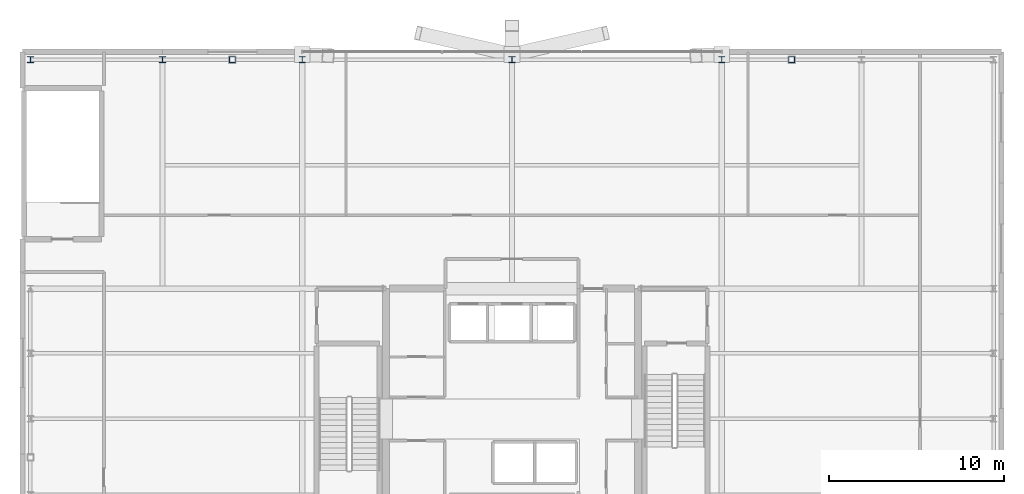
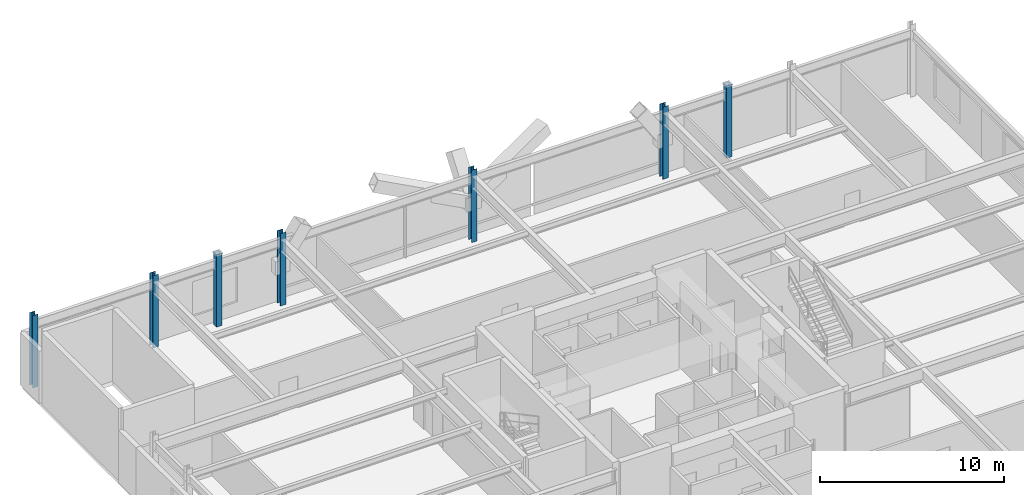
# One storey, part 3 of 21: 7 columns.
"""IFC4 building model written with IfcOpenShell, lengths in metres."""

from ifc_helpers import new_model, si_unit, direction, frame, origin, origin_2d, place, context, subcontext, project, spatial, hollow_rectangle, i_section, extrude, material, material_profile, profile_set, type_object, element, save


model = new_model("IFC4")

# Units and contexts
model_context = context("Model", 3, precision=1e-05, world=origin(), true_north=direction((0.0, 1.0)))
body_context = subcontext(model_context, "Body", "Model", "MODEL_VIEW")
ifc_project = project(units=[si_unit("LENGTHUNIT", "METRE"), si_unit("AREAUNIT", "SQUARE_METRE"), si_unit("VOLUMEUNIT", "CUBIC_METRE"), si_unit("PLANEANGLEUNIT", "RADIAN"), si_unit("MASSUNIT", "GRAM", prefix="KILO")], contexts=[model_context])

# Site, building, storey
site_placement = place(None, origin())
site = spatial("IfcSite", under=ifc_project, at=site_placement, CompositionType="ELEMENT")
building_placement = place(site_placement, origin())
building = spatial("IfcBuilding", under=site, at=building_placement, Name="Veldorina Hangang Commons", CompositionType="ELEMENT")
storey_placement = place(building_placement, frame((0.0, 0.0, 19.60009765625)))
storey = spatial("IfcBuildingStorey", under=building, at=storey_placement, Name="L04", CompositionType="ELEMENT", Elevation=19.60009765625)

# Columns
ifc_material_1 = material(Name="Steel SM420-TMC", Category="steel")
ifc_material_profile_1 = material_profile(ifc_material_1, i_section(OverallWidth=0.35009765625, OverallDepth=0.35009765625, WebThickness=0.011962890625, FlangeThickness=0.01904296875, FilletRadius=0.01611328125, at=origin_2d()), Name="H-350x350x12x19")
ifc_profile_set_1 = profile_set([ifc_material_profile_1], Name="Steel SM420-TMC")
column_type_1 = type_object("IfcColumnType", Name="COL-H350", PredefinedType="COLUMN", material=ifc_profile_set_1)
for number, where, z_axis, x_axis, name in (
    (1, (4.449951171875, 44.550048828125, 0.0), (0.0, 0.0, 1.0), (1.0, 0.0, 0.0), "L04 structural column N1"),
    (2, (12.0, 44.550048828125, 0.0), (0.0, 0.0, 1.0), (1.0, 0.0, 0.0), "L04 structural column N2"),
    (3, (20.0, 44.550048828125, 0.0), (0.0, 0.0, 1.0), (1.0, 0.0, 0.0), "L04 structural column N3"),
    (4, (32.0, 44.550048828125, 0.0), (0.0, 0.0, 1.0), (1.0, 0.0, 0.0), "L04 structural column N4"),
    (5, (44.0, 44.550048828125, 0.0), (0.0, 0.0, 1.0), (1.0, 0.0, 0.0), "L04 structural column N5"),
):
    element("IfcColumn", number, at=place(storey_placement, frame(where, z_axis=z_axis, x_axis=x_axis)), inside=storey, type_object=column_type_1, Name=name, PredefinedType="COLUMN", context=body_context, shape_type="SweptSolid", body=[
        extrude(i_section(OverallWidth=0.35009765625, OverallDepth=0.35009765625, WebThickness=0.011962890625, FlangeThickness=0.01904296875, FilletRadius=0.01611328125, at=origin_2d()), origin(), (0.0, 0.0, 1.0), 4.7998046875),
    ])
ifc_material_2 = material(Name="Steel SM355-TMC", Category="steel")
ifc_material_profile_2 = material_profile(ifc_material_2, hollow_rectangle(XDim=0.35009765625, YDim=0.35009765625, WallThickness=0.01611328125, at=origin_2d()), Name="SHS-350x350x16")
ifc_profile_set_2 = profile_set([ifc_material_profile_2], Name="Steel SM355-TMC")
column_type_2 = type_object("IfcColumnType", Name="COL-PIL-350", PredefinedType="PILASTER", material=ifc_profile_set_2)
for number, where, z_axis, x_axis, name in (
    (6, (16.0, 44.550048828125, 0.0), (0.0, 0.0, 1.0), (1.0, 0.0, 0.0), "L04 rationalist colonnade pilaster 1"),
    (7, (48.0, 44.550048828125, 0.0), (0.0, 0.0, 1.0), (1.0, 0.0, 0.0), "L04 rationalist colonnade pilaster 2"),
):
    element("IfcColumn", number, at=place(storey_placement, frame(where, z_axis=z_axis, x_axis=x_axis)), inside=storey, type_object=column_type_2, Name=name, PredefinedType="PILASTER", context=body_context, shape_type="SweptSolid", body=[
        extrude(hollow_rectangle(XDim=0.35009765625, YDim=0.35009765625, WallThickness=0.01611328125, at=origin_2d()), origin(), (0.0, 0.0, 1.0), 4.7998046875),
    ])

save(model, "model.ifc")
